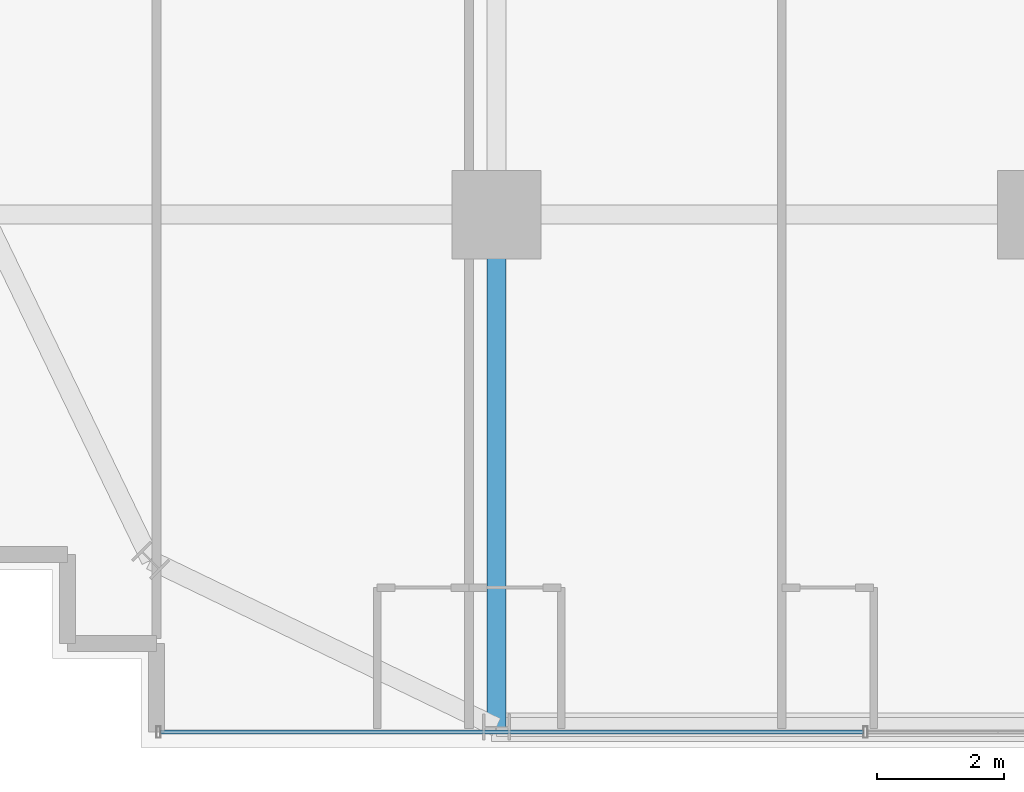
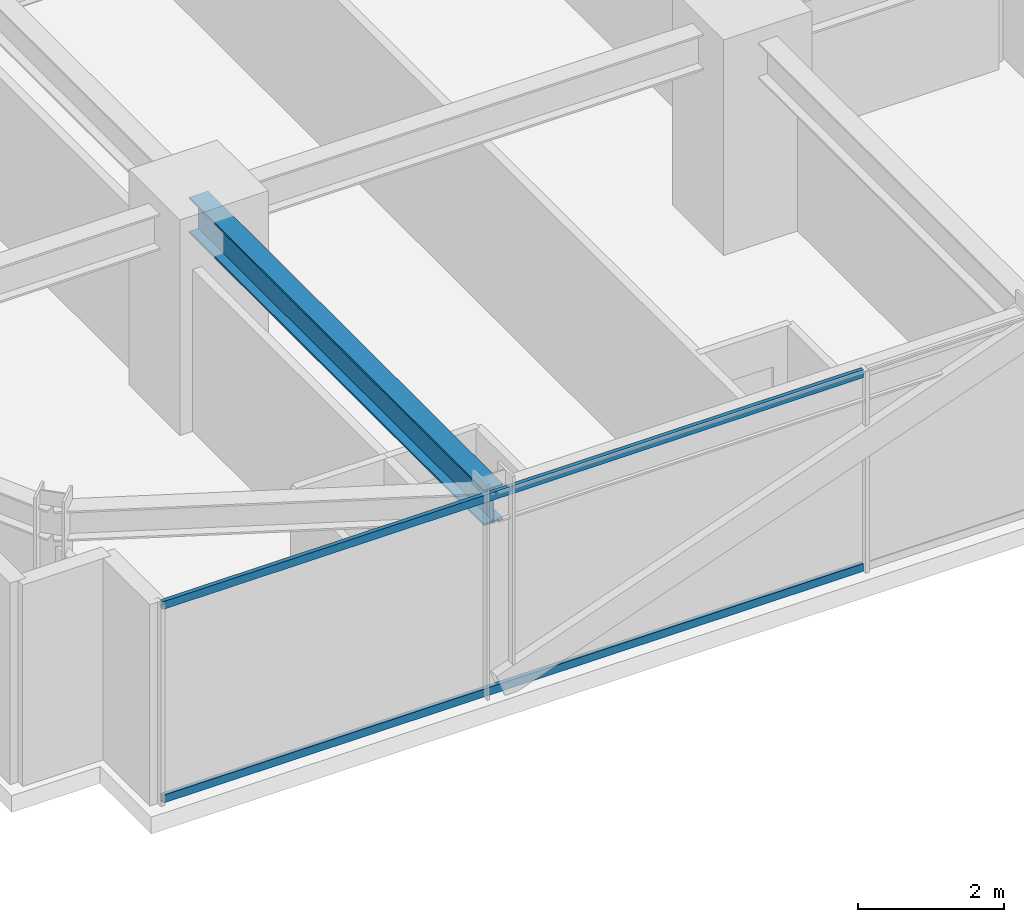
# One storey, part 4 of 39: 2 members, 1 beam, 1 element without a shape of its own.
"""IFC4 building model written with IfcOpenShell, lengths in metres."""

from ifc_helpers import new_model, si_unit, direction, frame, origin, origin_2d, place, context, subcontext, project, spatial, hollow_rectangle, i_section, extrude, source, transform, mapped, material, material_profile, profile_set, type_object, element, aggregate, save


model = new_model("IFC4")

# Units and contexts
model_context = context("Model", 3, precision=1e-05, world=origin(), true_north=direction((0.0, 1.0)))
body_context = subcontext(model_context, "Body", "Model", "MODEL_VIEW")
ifc_project = project(units=[si_unit("LENGTHUNIT", "METRE"), si_unit("AREAUNIT", "SQUARE_METRE"), si_unit("VOLUMEUNIT", "CUBIC_METRE"), si_unit("PLANEANGLEUNIT", "RADIAN"), si_unit("MASSUNIT", "GRAM", prefix="KILO")], contexts=[model_context])

# Site, building, storey
site_placement = place(None, origin())
site = spatial("IfcSite", under=ifc_project, at=site_placement, CompositionType="ELEMENT")
building_placement = place(site_placement, origin())
building = spatial("IfcBuilding", under=site, at=building_placement, Name="Nahalor Promenade Grand Hotel", CompositionType="ELEMENT")
storey_placement = place(building_placement, frame((0.0, 0.0, 32.39990234375)))
storey = spatial("IfcBuildingStorey", under=building, at=storey_placement, Name="L06", CompositionType="ELEMENT", Elevation=32.39990234375)

# Beam
ifc_material_1 = material(Name="Steel S355JR", Category="steel")
ifc_material_profile_1 = material_profile(ifc_material_1, i_section(OverallWidth=0.3, OverallDepth=0.6, WebThickness=0.0155, FlangeThickness=0.03, at=origin_2d()), Name="HEB 600")
ifc_profile_set_1 = profile_set([ifc_material_profile_1], Name="Steel S355JR")
beam_type = type_object("IfcBeamType", Name="Beam-Girder-HEB600", PredefinedType="BEAM", material=ifc_profile_set_1)
shared_shape_1 = source(origin(), body_context, "Body", "SweptSolid", [
    extrude(i_section(OverallWidth=0.3, OverallDepth=0.6, WebThickness=0.0155, FlangeThickness=0.03, at=origin_2d()), origin(), (0.0, 0.0, 1.0), 8.080078125),
])
beam_placement = place(storey_placement, frame((-17.0, -25.080078125, 3.070068359375), z_axis=(0.0, 1.0, 0.0), x_axis=(-1.0, 0.0, 0.0)))
element("IfcBeam", 1, at=beam_placement, inside=storey, type_object=beam_type, Name="BM-L06-GY-0-0", PredefinedType="BEAM", context=body_context, shape_type="MappedRepresentation", body=[
    mapped(shared_shape_1, transform((0.0, 0.0, 0.0), scale=1.0)),
])

# Curtain wall, members
ifc_material_2 = material(Name="Anodised Bronze Aluminium EN AW-6063 T6", Category="aluminium")
curtain_wall_type = type_object("IfcCurtainWallType", Name="CW2 Typical Hotel Flush Bronze Unitised Curtain Wall", PredefinedType="USERDEFINED", material=ifc_material_2)
curtain_wall_placement = place(storey_placement, origin())
curtain_wall = element("IfcCurtainWall", 2, at=curtain_wall_placement, inside=storey, type_object=curtain_wall_type, Name="L06 Curtain Wall CW-L06-S-1", ObjectType="UNITISED_CURTAIN_WALL", PredefinedType="USERDEFINED")
ifc_material_profile_2 = material_profile(ifc_material_2, hollow_rectangle(XDim=0.065, YDim=0.13, WallThickness=0.004, at=origin_2d()), Name="CWT 65x130x4")
ifc_profile_set_2 = profile_set([ifc_material_profile_2], Name="Anodised Bronze Aluminium EN AW-6063 T6")
member_type = type_object("IfcMemberType", Name="CWT2 Typical Bronze Transom 65x130", PredefinedType="USERDEFINED", material=ifc_profile_set_2)
shared_shape_2 = source(origin(), body_context, "Body", "SweptSolid", [
    extrude(hollow_rectangle(XDim=0.065, YDim=0.13, WallThickness=0.004, at=origin_2d()), origin(), (0.0, 0.0, 1.0), 11.08251953125),
])
member_1_placement = place(storey_placement, frame((-22.294921875, -25.159912109375, 0.065185546875), z_axis=(1.0, 0.0, 0.0), x_axis=(0.0, 1.0, 0.0)))
member_1 = element("IfcMember", 3, at=member_1_placement, type_object=member_type, Name="CW-L06-S-1 Transom 0-0", ObjectType="TRANSOM", PredefinedType="USERDEFINED", context=body_context, shape_type="MappedRepresentation", body=[
    mapped(shared_shape_2, transform((0.0, 0.0, 0.0), scale=1.0)),
])
member_2_placement = place(storey_placement, frame((-22.294921875, -25.159912109375, 3.30517578125), z_axis=(1.0, 0.0, 0.0), x_axis=(0.0, 1.0, 0.0)))
member_2 = element("IfcMember", 4, at=member_2_placement, type_object=member_type, Name="CW-L06-S-1 Transom 0-1", ObjectType="TRANSOM", PredefinedType="USERDEFINED", context=body_context, shape_type="MappedRepresentation", body=[
    mapped(shared_shape_2, transform((0.0, 0.0, 0.0), scale=1.0)),
])
aggregate(curtain_wall, [member_1, member_2])

save(model, "model.ifc")
